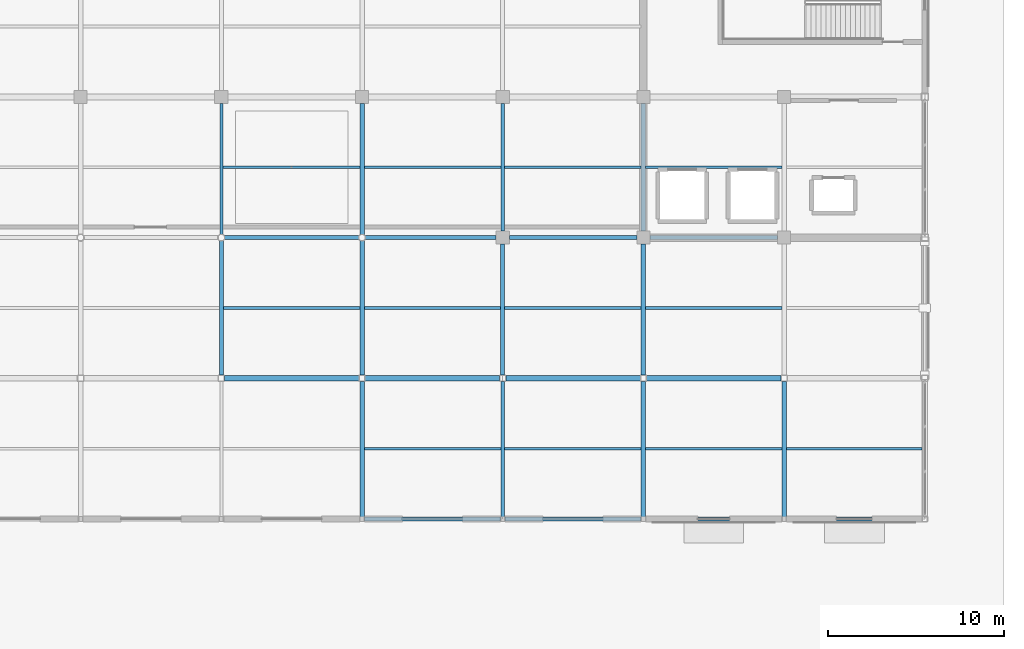
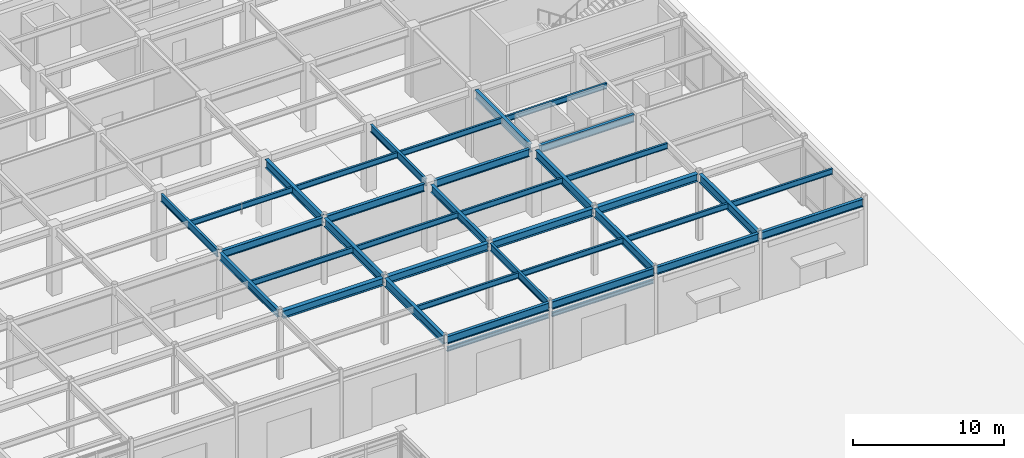
# One storey, part 85 of 128: 38 beams.
"""IFC4 building model written with IfcOpenShell, lengths in metres."""

from ifc_helpers import new_model, si_unit, direction, frame, origin, origin_2d, place, context, subcontext, project, spatial, i_section, extrude, material, material_profile, profile_set, type_object, element, save


model = new_model("IFC4")

# Units and contexts
model_context = context("Model", 3, precision=1e-05, world=origin(), true_north=direction((0.0, 1.0)))
body_context = subcontext(model_context, "Body", "Model", "MODEL_VIEW")
ifc_project = project(units=[si_unit("LENGTHUNIT", "METRE"), si_unit("AREAUNIT", "SQUARE_METRE"), si_unit("VOLUMEUNIT", "CUBIC_METRE"), si_unit("PLANEANGLEUNIT", "RADIAN"), si_unit("MASSUNIT", "GRAM", prefix="KILO")], contexts=[model_context])

# Site, building, storey
site_placement = place(None, origin())
site = spatial("IfcSite", under=ifc_project, at=site_placement, CompositionType="ELEMENT")
building_placement = place(site_placement, origin())
building = spatial("IfcBuilding", under=site, at=building_placement, Name="Solmirada Galleria", CompositionType="ELEMENT")
storey_placement = place(building_placement, origin())
storey = spatial("IfcBuildingStorey", under=building, at=storey_placement, Name="L00", CompositionType="ELEMENT", Elevation=0.0)

# Beams
ifc_material = material(Name="Steel S355 / ASTM A992 Grade 50", Category="steel")
ifc_material_profile_1 = material_profile(ifc_material, i_section(OverallWidth=0.323974609375, OverallDepth=0.611083984375, WebThickness=0.0126953125, FlangeThickness=0.01904296875, FilletRadius=0.014892578125, at=origin_2d()), Name="W24X104")
ifc_profile_set_1 = profile_set([ifc_material_profile_1], Name="Steel S355 / ASTM A992 Grade 50")
beam_type_1 = type_object("IfcBeamType", Name="BM-GIRD-W24A", PredefinedType="BEAM", material=ifc_profile_set_1)
for number, where, z_axis, x_axis, name in (
    (1, (136.177978515625, 80.0, 5.074462890625), (1.0, 0.0, 0.0), (0.0, 1.0, 0.0), "Primary beam L01 X(136..144, 80)"),
    (2, (144.177978515625, 80.0, 5.074462890625), (1.0, 0.0, 0.0), (0.0, 1.0, 0.0), "Primary beam L01 X(144..152, 80)"),
    (3, (152.177978515625, 80.0, 5.074462890625), (1.0, 0.0, 0.0), (0.0, 1.0, 0.0), "Primary beam L01 X(152..160, 80)"),
    (4, (160.177978515625, 80.0, 5.074462890625), (1.0, 0.0, 0.0), (0.0, 1.0, 0.0), "Primary beam L01 X(160..168, 80)"),
):
    element("IfcBeam", number, at=place(storey_placement, frame(where, z_axis=z_axis, x_axis=x_axis)), inside=storey, type_object=beam_type_1, Name=name, PredefinedType="BEAM", context=body_context, shape_type="SweptSolid", body=[
        extrude(i_section(OverallWidth=0.323974609375, OverallDepth=0.611083984375, WebThickness=0.0126953125, FlangeThickness=0.01904296875, FilletRadius=0.014892578125, at=origin_2d()), origin(), (0.0, 0.0, 1.0), 7.64404296875),
    ])
ifc_material_profile_2 = material_profile(ifc_material, i_section(OverallWidth=0.22900390625, OverallDepth=0.612060546875, WebThickness=0.011962890625, FlangeThickness=0.01953125, FilletRadius=0.014892578125, at=origin_2d()), Name="W24X84")
ifc_profile_set_2 = profile_set([ifc_material_profile_2], Name="Steel S355 / ASTM A992 Grade 50")
beam_type_2 = type_object("IfcBeamType", Name="BM-GIRD-W24B", PredefinedType="BEAM", material=ifc_profile_set_2)
beam_1_placement = place(storey_placement, frame((136.17041015625, 88.0, 5.073974609375), z_axis=(1.0, 0.0, 0.0), x_axis=(0.0, 1.0, 0.0)))
element("IfcBeam", 5, at=beam_1_placement, inside=storey, type_object=beam_type_2, Name="Primary beam L01 X(136..144, 88)", PredefinedType="BEAM", context=body_context, shape_type="SweptSolid", body=[
    extrude(i_section(OverallWidth=0.22900390625, OverallDepth=0.612060546875, WebThickness=0.011962890625, FlangeThickness=0.01953125, FilletRadius=0.014892578125, at=origin_2d()), origin(), (0.0, 0.0, 1.0), 7.6591796875),
])
beam_2_placement = place(storey_placement, frame((144.126953125, 72.0, 5.073974609375), z_axis=(1.0, 0.0, 0.0), x_axis=(0.0, 1.0, 0.0)))
element("IfcBeam", 6, at=beam_2_placement, inside=storey, type_object=beam_type_2, Name="Primary beam L01 X(144..152, 72)", PredefinedType="BEAM", context=body_context, shape_type="SweptSolid", body=[
    extrude(i_section(OverallWidth=0.22900390625, OverallDepth=0.612060546875, WebThickness=0.011962890625, FlangeThickness=0.01953125, FilletRadius=0.014892578125, at=origin_2d()), origin(), (0.0, 0.0, 1.0), 7.74609375),
])
beam_3_placement = place(storey_placement, frame((144.17041015625, 88.0, 5.073974609375), z_axis=(1.0, 0.0, 0.0), x_axis=(0.0, 1.0, 0.0)))
element("IfcBeam", 7, at=beam_3_placement, inside=storey, type_object=beam_type_2, Name="Primary beam L01 X(144..152, 88)", PredefinedType="BEAM", context=body_context, shape_type="SweptSolid", body=[
    extrude(i_section(OverallWidth=0.22900390625, OverallDepth=0.612060546875, WebThickness=0.011962890625, FlangeThickness=0.01953125, FilletRadius=0.014892578125, at=origin_2d()), origin(), (0.0, 0.0, 1.0), 7.45458984375),
])
beam_4_placement = place(storey_placement, frame((152.126953125, 72.0, 5.073974609375), z_axis=(1.0, 0.0, 0.0), x_axis=(0.0, 1.0, 0.0)))
element("IfcBeam", 8, at=beam_4_placement, inside=storey, type_object=beam_type_2, Name="Primary beam L01 X(152..160, 72)", PredefinedType="BEAM", context=body_context, shape_type="SweptSolid", body=[
    extrude(i_section(OverallWidth=0.22900390625, OverallDepth=0.612060546875, WebThickness=0.011962890625, FlangeThickness=0.01953125, FilletRadius=0.014892578125, at=origin_2d()), origin(), (0.0, 0.0, 1.0), 7.74609375),
])
beam_5_placement = place(storey_placement, frame((152.375, 88.0, 5.073974609375), z_axis=(1.0, 0.0, 0.0), x_axis=(0.0, 1.0, 0.0)))
element("IfcBeam", 9, at=beam_5_placement, inside=storey, type_object=beam_type_2, Name="Primary beam L01 X(152..160, 88)", PredefinedType="BEAM", context=body_context, shape_type="SweptSolid", body=[
    extrude(i_section(OverallWidth=0.22900390625, OverallDepth=0.612060546875, WebThickness=0.011962890625, FlangeThickness=0.01953125, FilletRadius=0.014892578125, at=origin_2d()), origin(), (0.0, 0.0, 1.0), 7.25),
])
beam_6_placement = place(storey_placement, frame((160.126953125, 72.0, 5.073974609375), z_axis=(1.0, 0.0, 0.0), x_axis=(0.0, 1.0, 0.0)))
element("IfcBeam", 10, at=beam_6_placement, inside=storey, type_object=beam_type_2, Name="Primary beam L01 X(160..168, 72)", PredefinedType="BEAM", context=body_context, shape_type="SweptSolid", body=[
    extrude(i_section(OverallWidth=0.22900390625, OverallDepth=0.612060546875, WebThickness=0.011962890625, FlangeThickness=0.01953125, FilletRadius=0.014892578125, at=origin_2d()), origin(), (0.0, 0.0, 1.0), 7.74609375),
])
beam_7_placement = place(storey_placement, frame((160.375, 88.0, 5.073974609375), z_axis=(1.0, 0.0, 0.0), x_axis=(0.0, 1.0, 0.0)))
element("IfcBeam", 11, at=beam_7_placement, inside=storey, type_object=beam_type_2, Name="Primary beam L01 X(160..168, 88)", PredefinedType="BEAM", context=body_context, shape_type="SweptSolid", body=[
    extrude(i_section(OverallWidth=0.22900390625, OverallDepth=0.612060546875, WebThickness=0.011962890625, FlangeThickness=0.01953125, FilletRadius=0.014892578125, at=origin_2d()), origin(), (0.0, 0.0, 1.0), 7.25),
])
beam_8_placement = place(storey_placement, frame((168.126953125, 72.0, 5.073974609375), z_axis=(1.0, 0.0, 0.0), x_axis=(0.0, 1.0, 0.0)))
element("IfcBeam", 12, at=beam_8_placement, inside=storey, type_object=beam_type_2, Name="Primary beam L01 X(168..176, 72)", PredefinedType="BEAM", context=body_context, shape_type="SweptSolid", body=[
    extrude(i_section(OverallWidth=0.22900390625, OverallDepth=0.612060546875, WebThickness=0.011962890625, FlangeThickness=0.01953125, FilletRadius=0.014892578125, at=origin_2d()), origin(), (0.0, 0.0, 1.0), 7.720458984375),
])
ifc_material_profile_3 = material_profile(ifc_material, i_section(OverallWidth=0.22802734375, OverallDepth=0.60302734375, WebThickness=0.010498046875, FlangeThickness=0.014892578125, FilletRadius=0.014892578125, at=origin_2d()), Name="W24X68")
ifc_profile_set_3 = profile_set([ifc_material_profile_3], Name="Steel S355 / ASTM A992 Grade 50")
beam_type_3 = type_object("IfcBeamType", Name="BM-GIRD-W24C", PredefinedType="BEAM", material=ifc_profile_set_3)
beam_9_placement = place(storey_placement, frame((136.0, 80.177978515625, 5.07861328125), z_axis=(0.0, 1.0, 0.0), x_axis=(-1.0, 0.0, 0.0)))
element("IfcBeam", 13, at=beam_9_placement, inside=storey, type_object=beam_type_3, Name="Primary girder L01 Y(136, 80..88)", PredefinedType="BEAM", context=body_context, shape_type="SweptSolid", body=[
    extrude(i_section(OverallWidth=0.22802734375, OverallDepth=0.60302734375, WebThickness=0.010498046875, FlangeThickness=0.014892578125, FilletRadius=0.014892578125, at=origin_2d()), origin(), (0.0, 0.0, 1.0), 7.651611328125),
])
beam_10_placement = place(storey_placement, frame((152.0, 80.177978515625, 5.07861328125), z_axis=(0.0, 1.0, 0.0), x_axis=(-1.0, 0.0, 0.0)))
element("IfcBeam", 14, at=beam_10_placement, inside=storey, type_object=beam_type_3, Name="Primary girder L01 Y(152, 80..88)", PredefinedType="BEAM", context=body_context, shape_type="SweptSolid", body=[
    extrude(i_section(OverallWidth=0.22802734375, OverallDepth=0.60302734375, WebThickness=0.010498046875, FlangeThickness=0.014892578125, FilletRadius=0.014892578125, at=origin_2d()), origin(), (0.0, 0.0, 1.0), 7.447021484375),
])
ifc_material_profile_4 = material_profile(ifc_material, i_section(OverallWidth=0.177978515625, OverallDepth=0.59912109375, WebThickness=0.010009765625, FlangeThickness=0.0126953125, FilletRadius=0.013916015625, at=origin_2d()), Name="W24X55")
ifc_profile_set_4 = profile_set([ifc_material_profile_4], Name="Steel S355 / ASTM A992 Grade 50")
beam_type_4 = type_object("IfcBeamType", Name="BM-GIRD-W24D", PredefinedType="BEAM", material=ifc_profile_set_4)
beam_11_placement = place(storey_placement, frame((136.0, 88.17041015625, 5.08056640625), z_axis=(0.0, 1.0, 0.0), x_axis=(-1.0, 0.0, 0.0)))
element("IfcBeam", 15, at=beam_11_placement, inside=storey, type_object=beam_type_4, Name="Primary girder L01 Y(136, 88..96)", PredefinedType="BEAM", context=body_context, shape_type="SweptSolid", body=[
    extrude(i_section(OverallWidth=0.177978515625, OverallDepth=0.59912109375, WebThickness=0.010009765625, FlangeThickness=0.0126953125, FilletRadius=0.013916015625, at=origin_2d()), origin(), (0.0, 0.0, 1.0), 7.45458984375),
])
beam_12_placement = place(storey_placement, frame((152.0, 72.126953125, 5.08056640625), z_axis=(0.0, 1.0, 0.0), x_axis=(-1.0, 0.0, 0.0)))
element("IfcBeam", 16, at=beam_12_placement, inside=storey, type_object=beam_type_4, Name="Primary girder L01 Y(152, 72..80)", PredefinedType="BEAM", context=body_context, shape_type="SweptSolid", body=[
    extrude(i_section(OverallWidth=0.177978515625, OverallDepth=0.59912109375, WebThickness=0.010009765625, FlangeThickness=0.0126953125, FilletRadius=0.013916015625, at=origin_2d()), origin(), (0.0, 0.0, 1.0), 7.695068359375),
])
beam_13_placement = place(storey_placement, frame((152.0, 88.375, 5.08056640625), z_axis=(0.0, 1.0, 0.0), x_axis=(-1.0, 0.0, 0.0)))
element("IfcBeam", 17, at=beam_13_placement, inside=storey, type_object=beam_type_4, Name="Primary girder L01 Y(152, 88..96)", PredefinedType="BEAM", context=body_context, shape_type="SweptSolid", body=[
    extrude(i_section(OverallWidth=0.177978515625, OverallDepth=0.59912109375, WebThickness=0.010009765625, FlangeThickness=0.0126953125, FilletRadius=0.013916015625, at=origin_2d()), origin(), (0.0, 0.0, 1.0), 7.25),
])
ifc_material_profile_5 = material_profile(ifc_material, i_section(OverallWidth=0.256103515625, OverallDepth=0.693115234375, WebThickness=0.014404296875, FlangeThickness=0.023681640625, FilletRadius=0.01806640625, at=origin_2d()), Name="W27X114")
ifc_profile_set_5 = profile_set([ifc_material_profile_5], Name="Steel S355 / ASTM A992 Grade 50")
beam_type_5 = type_object("IfcBeamType", Name="BM-GIRD-W27A", PredefinedType="BEAM", material=ifc_profile_set_5)
beam_14_placement = place(storey_placement, frame((144.0, 72.126953125, 5.033447265625), z_axis=(0.0, 1.0, 0.0), x_axis=(-1.0, 0.0, 0.0)))
element("IfcBeam", 18, at=beam_14_placement, inside=storey, type_object=beam_type_5, Name="Primary girder L01 Y(144, 72..80)", PredefinedType="BEAM", context=body_context, shape_type="SweptSolid", body=[
    extrude(i_section(OverallWidth=0.256103515625, OverallDepth=0.693115234375, WebThickness=0.014404296875, FlangeThickness=0.023681640625, FilletRadius=0.01806640625, at=origin_2d()), origin(), (0.0, 0.0, 1.0), 7.695068359375),
])
beam_15_placement = place(storey_placement, frame((144.0, 80.177978515625, 5.033447265625), z_axis=(0.0, 1.0, 0.0), x_axis=(-1.0, 0.0, 0.0)))
element("IfcBeam", 19, at=beam_15_placement, inside=storey, type_object=beam_type_5, Name="Primary girder L01 Y(144, 80..88)", PredefinedType="BEAM", context=body_context, shape_type="SweptSolid", body=[
    extrude(i_section(OverallWidth=0.256103515625, OverallDepth=0.693115234375, WebThickness=0.014404296875, FlangeThickness=0.023681640625, FilletRadius=0.01806640625, at=origin_2d()), origin(), (0.0, 0.0, 1.0), 7.651611328125),
])
beam_16_placement = place(storey_placement, frame((144.0, 88.17041015625, 5.033447265625), z_axis=(0.0, 1.0, 0.0), x_axis=(-1.0, 0.0, 0.0)))
element("IfcBeam", 20, at=beam_16_placement, inside=storey, type_object=beam_type_5, Name="Primary girder L01 Y(144, 88..96)", PredefinedType="BEAM", context=body_context, shape_type="SweptSolid", body=[
    extrude(i_section(OverallWidth=0.256103515625, OverallDepth=0.693115234375, WebThickness=0.014404296875, FlangeThickness=0.023681640625, FilletRadius=0.01806640625, at=origin_2d()), origin(), (0.0, 0.0, 1.0), 7.45458984375),
])
beam_17_placement = place(storey_placement, frame((168.0, 72.126953125, 5.033447265625), z_axis=(0.0, 1.0, 0.0), x_axis=(-1.0, 0.0, 0.0)))
element("IfcBeam", 21, at=beam_17_placement, inside=storey, type_object=beam_type_5, Name="Primary girder L01 Y(168, 72..80)", PredefinedType="BEAM", context=body_context, shape_type="SweptSolid", body=[
    extrude(i_section(OverallWidth=0.256103515625, OverallDepth=0.693115234375, WebThickness=0.014404296875, FlangeThickness=0.023681640625, FilletRadius=0.01806640625, at=origin_2d()), origin(), (0.0, 0.0, 1.0), 7.695068359375),
])
ifc_material_profile_6 = material_profile(ifc_material, i_section(OverallWidth=0.25390625, OverallDepth=0.68408203125, WebThickness=0.012451171875, FlangeThickness=0.018798828125, FilletRadius=0.01708984375, at=origin_2d()), Name="W27X94")
ifc_profile_set_6 = profile_set([ifc_material_profile_6], Name="Steel S355 / ASTM A992 Grade 50")
beam_type_6 = type_object("IfcBeamType", Name="BM-GIRD-W27B", PredefinedType="BEAM", material=ifc_profile_set_6)
beam_18_placement = place(storey_placement, frame((160.0, 72.126953125, 5.0380859375), z_axis=(0.0, 1.0, 0.0), x_axis=(-1.0, 0.0, 0.0)))
element("IfcBeam", 22, at=beam_18_placement, inside=storey, type_object=beam_type_6, Name="Primary girder L01 Y(160, 72..80)", PredefinedType="BEAM", context=body_context, shape_type="SweptSolid", body=[
    extrude(i_section(OverallWidth=0.25390625, OverallDepth=0.68408203125, WebThickness=0.012451171875, FlangeThickness=0.018798828125, FilletRadius=0.01708984375, at=origin_2d()), origin(), (0.0, 0.0, 1.0), 7.695068359375),
])
beam_19_placement = place(storey_placement, frame((160.0, 80.177978515625, 5.0380859375), z_axis=(0.0, 1.0, 0.0), x_axis=(-1.0, 0.0, 0.0)))
element("IfcBeam", 23, at=beam_19_placement, inside=storey, type_object=beam_type_6, Name="Primary girder L01 Y(160, 80..88)", PredefinedType="BEAM", context=body_context, shape_type="SweptSolid", body=[
    extrude(i_section(OverallWidth=0.25390625, OverallDepth=0.68408203125, WebThickness=0.012451171875, FlangeThickness=0.018798828125, FilletRadius=0.01708984375, at=origin_2d()), origin(), (0.0, 0.0, 1.0), 7.447021484375),
])
beam_20_placement = place(storey_placement, frame((160.0, 88.375, 5.0380859375), z_axis=(0.0, 1.0, 0.0), x_axis=(-1.0, 0.0, 0.0)))
element("IfcBeam", 24, at=beam_20_placement, inside=storey, type_object=beam_type_6, Name="Primary girder L01 Y(160, 88..96)", PredefinedType="BEAM", context=body_context, shape_type="SweptSolid", body=[
    extrude(i_section(OverallWidth=0.25390625, OverallDepth=0.68408203125, WebThickness=0.012451171875, FlangeThickness=0.018798828125, FilletRadius=0.01708984375, at=origin_2d()), origin(), (0.0, 0.0, 1.0), 7.25),
])
ifc_material_profile_7 = material_profile(ifc_material, i_section(OverallWidth=0.153076171875, OverallDepth=0.455078125, WebThickness=0.008056640625, FlangeThickness=0.01318359375, FilletRadius=0.011962890625, at=origin_2d()), Name="W18X40")
ifc_profile_set_7 = profile_set([ifc_material_profile_7], Name="Steel S355 / ASTM A992 Grade 50")
beam_type_7 = type_object("IfcBeamType", Name="BM-JST-W18A", PredefinedType="JOIST", material=ifc_profile_set_7)
beam_21_placement = place(storey_placement, frame((136.114013671875, 84.0, 5.152587890625), z_axis=(1.0, 0.0, 0.0), x_axis=(0.0, 1.0, 0.0)))
element("IfcBeam", 25, at=beam_21_placement, inside=storey, type_object=beam_type_7, Name="Composite floor joist L01 (136..144, 84.0)", PredefinedType="JOIST", context=body_context, shape_type="SweptSolid", body=[
    extrude(i_section(OverallWidth=0.153076171875, OverallDepth=0.455078125, WebThickness=0.008056640625, FlangeThickness=0.01318359375, FilletRadius=0.011962890625, at=origin_2d()), origin(), (0.0, 0.0, 1.0), 7.758056640625),
])
for number, where, z_axis, x_axis, name in (
    (26, (136.089111328125, 92.0, 5.152587890625), (1.0, 0.0, 0.0), (0.0, 1.0, 0.0), "Composite floor joist L01 (136..144, 92.0)"),
    (27, (144.1279296875, 76.0, 5.152587890625), (1.0, 0.0, 0.0), (0.0, 1.0, 0.0), "Composite floor joist L01 (144..152, 76.0)"),
):
    element("IfcBeam", number, at=place(storey_placement, frame(where, z_axis=z_axis, x_axis=x_axis)), inside=storey, type_object=beam_type_7, Name=name, PredefinedType="JOIST", context=body_context, shape_type="SweptSolid", body=[
        extrude(i_section(OverallWidth=0.153076171875, OverallDepth=0.455078125, WebThickness=0.008056640625, FlangeThickness=0.01318359375, FilletRadius=0.011962890625, at=origin_2d()), origin(), (0.0, 0.0, 1.0), 7.782958984375),
    ])
beam_22_placement = place(storey_placement, frame((144.1279296875, 84.0, 5.152587890625), z_axis=(1.0, 0.0, 0.0), x_axis=(0.0, 1.0, 0.0)))
element("IfcBeam", 28, at=beam_22_placement, inside=storey, type_object=beam_type_7, Name="Composite floor joist L01 (144..152, 84.0)", PredefinedType="JOIST", context=body_context, shape_type="SweptSolid", body=[
    extrude(i_section(OverallWidth=0.153076171875, OverallDepth=0.455078125, WebThickness=0.008056640625, FlangeThickness=0.01318359375, FilletRadius=0.011962890625, at=origin_2d()), origin(), (0.0, 0.0, 1.0), 7.758056640625),
])
beam_23_placement = place(storey_placement, frame((144.1279296875, 92.0, 5.152587890625), z_axis=(1.0, 0.0, 0.0), x_axis=(0.0, 1.0, 0.0)))
element("IfcBeam", 29, at=beam_23_placement, inside=storey, type_object=beam_type_7, Name="Composite floor joist L01 (144..152, 92.0)", PredefinedType="JOIST", context=body_context, shape_type="SweptSolid", body=[
    extrude(i_section(OverallWidth=0.153076171875, OverallDepth=0.455078125, WebThickness=0.008056640625, FlangeThickness=0.01318359375, FilletRadius=0.011962890625, at=origin_2d()), origin(), (0.0, 0.0, 1.0), 7.782958984375),
])
beam_24_placement = place(storey_placement, frame((152.089111328125, 76.0, 5.152587890625), z_axis=(1.0, 0.0, 0.0), x_axis=(0.0, 1.0, 0.0)))
element("IfcBeam", 30, at=beam_24_placement, inside=storey, type_object=beam_type_7, Name="Composite floor joist L01 (152..160, 76.0)", PredefinedType="JOIST", context=body_context, shape_type="SweptSolid", body=[
    extrude(i_section(OverallWidth=0.153076171875, OverallDepth=0.455078125, WebThickness=0.008056640625, FlangeThickness=0.01318359375, FilletRadius=0.011962890625, at=origin_2d()), origin(), (0.0, 0.0, 1.0), 7.783935546875),
])
beam_25_placement = place(storey_placement, frame((152.114013671875, 84.0, 5.152587890625), z_axis=(1.0, 0.0, 0.0), x_axis=(0.0, 1.0, 0.0)))
element("IfcBeam", 31, at=beam_25_placement, inside=storey, type_object=beam_type_7, Name="Composite floor joist L01 (152..160, 84.0)", PredefinedType="JOIST", context=body_context, shape_type="SweptSolid", body=[
    extrude(i_section(OverallWidth=0.153076171875, OverallDepth=0.455078125, WebThickness=0.008056640625, FlangeThickness=0.01318359375, FilletRadius=0.011962890625, at=origin_2d()), origin(), (0.0, 0.0, 1.0), 7.759033203125),
])
beam_26_placement = place(storey_placement, frame((152.089111328125, 92.0, 5.152587890625), z_axis=(1.0, 0.0, 0.0), x_axis=(0.0, 1.0, 0.0)))
element("IfcBeam", 32, at=beam_26_placement, inside=storey, type_object=beam_type_7, Name="Composite floor joist L01 (152..160, 92.0)", PredefinedType="JOIST", context=body_context, shape_type="SweptSolid", body=[
    extrude(i_section(OverallWidth=0.153076171875, OverallDepth=0.455078125, WebThickness=0.008056640625, FlangeThickness=0.01318359375, FilletRadius=0.011962890625, at=origin_2d()), origin(), (0.0, 0.0, 1.0), 7.783935546875),
])
for number, where, z_axis, x_axis, name in (
    (33, (160.126953125, 76.0, 5.152587890625), (1.0, 0.0, 0.0), (0.0, 1.0, 0.0), "Composite floor joist L01 (160..168, 76.0)"),
    (34, (160.126953125, 84.0, 5.152587890625), (1.0, 0.0, 0.0), (0.0, 1.0, 0.0), "Composite floor joist L01 (160..168, 84.0)"),
    (35, (160.126953125, 92.0, 5.152587890625), (1.0, 0.0, 0.0), (0.0, 1.0, 0.0), "Composite floor joist L01 (160..168, 92.0)"),
):
    element("IfcBeam", number, at=place(storey_placement, frame(where, z_axis=z_axis, x_axis=x_axis)), inside=storey, type_object=beam_type_7, Name=name, PredefinedType="JOIST", context=body_context, shape_type="SweptSolid", body=[
        extrude(i_section(OverallWidth=0.153076171875, OverallDepth=0.455078125, WebThickness=0.008056640625, FlangeThickness=0.01318359375, FilletRadius=0.011962890625, at=origin_2d()), origin(), (0.0, 0.0, 1.0), 7.7451171875),
    ])
beam_27_placement = place(storey_placement, frame((168.1279296875, 76.0, 5.152587890625), z_axis=(1.0, 0.0, 0.0), x_axis=(0.0, 1.0, 0.0)))
element("IfcBeam", 36, at=beam_27_placement, inside=storey, type_object=beam_type_7, Name="Composite floor joist L01 (168..176, 76.0)", PredefinedType="JOIST", context=body_context, shape_type="SweptSolid", body=[
    extrude(i_section(OverallWidth=0.153076171875, OverallDepth=0.455078125, WebThickness=0.008056640625, FlangeThickness=0.01318359375, FilletRadius=0.011962890625, at=origin_2d()), origin(), (0.0, 0.0, 1.0), 7.719482421875),
])
ifc_material_profile_8 = material_profile(ifc_material, i_section(OverallWidth=0.202880859375, OverallDepth=0.302978515625, WebThickness=0.007568359375, FlangeThickness=0.01318359375, FilletRadius=0.011962890625, at=origin_2d()), Name="W12X40")
ifc_profile_set_8 = profile_set([ifc_material_profile_8], Name="Steel S355 / ASTM A992 Grade 50")
beam_type_8 = type_object("IfcBeamType", Name="BM-LINT-W12", PredefinedType="LINTEL", material=ifc_profile_set_8)
for number, where, z_axis, x_axis, name in (
    (37, (144.126953125, 72.0, 4.298583984375), (1.0, 0.0, 0.0), (0.0, 1.0, 0.0), "Portal lintel beam L01 X=144..152"),
    (38, (152.126953125, 72.0, 4.298583984375), (1.0, 0.0, 0.0), (0.0, 1.0, 0.0), "Portal lintel beam L01 X=152..160"),
):
    element("IfcBeam", number, at=place(storey_placement, frame(where, z_axis=z_axis, x_axis=x_axis)), inside=storey, type_object=beam_type_8, Name=name, PredefinedType="LINTEL", context=body_context, shape_type="SweptSolid", body=[
        extrude(i_section(OverallWidth=0.202880859375, OverallDepth=0.302978515625, WebThickness=0.007568359375, FlangeThickness=0.01318359375, FilletRadius=0.011962890625, at=origin_2d()), origin(), (0.0, 0.0, 1.0), 7.74609375),
    ])

save(model, "model.ifc")
